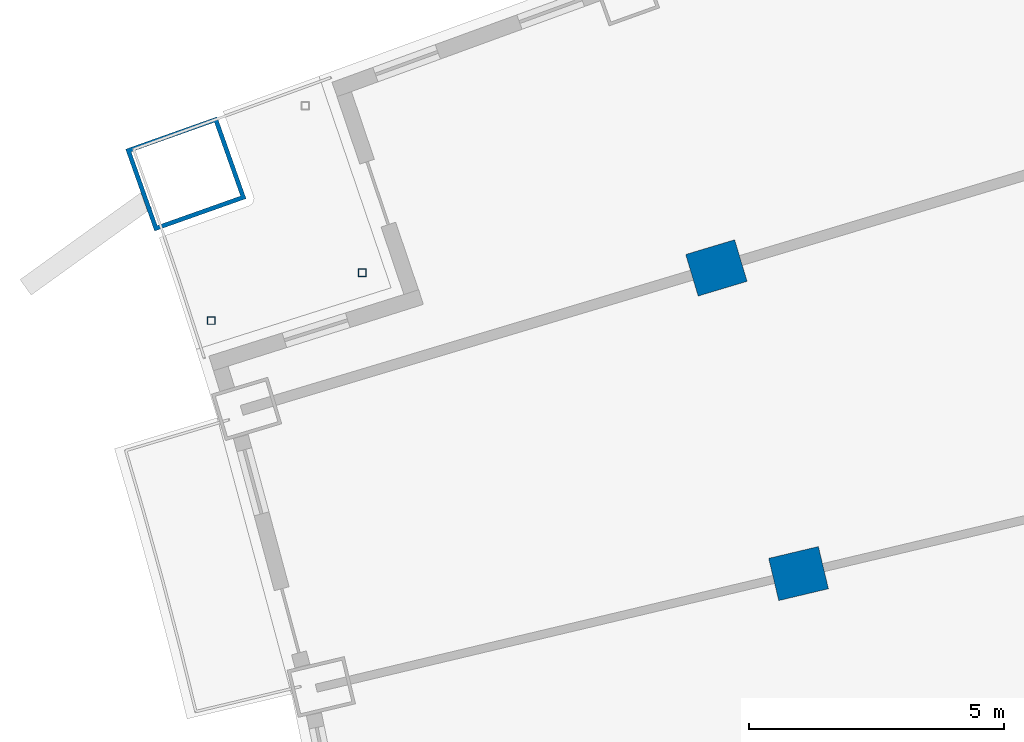
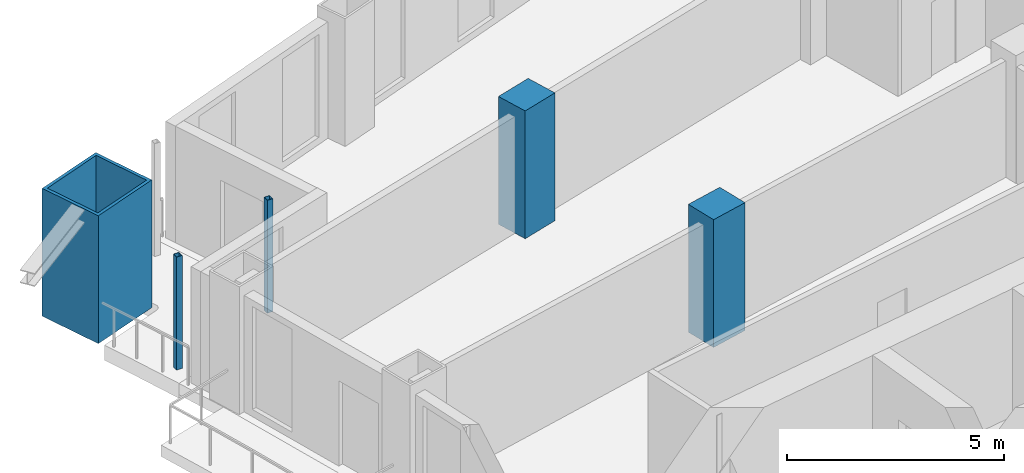
# One storey, part 7 of 24: 5 columns.
"""IFC4 building model written with IfcOpenShell, lengths in metres."""

from ifc_helpers import new_model, si_unit, direction, frame, origin, origin_2d, place, context, subcontext, project, spatial, rectangle, hollow_rectangle, extrude, material, material_profile, profile_set, type_object, element, save


model = new_model("IFC4")

# Units and contexts
model_context = context("Model", 3, precision=1e-05, world=origin(), true_north=direction((0.0, 1.0)))
body_context = subcontext(model_context, "Body", "Model", "MODEL_VIEW")
ifc_project = project(units=[si_unit("LENGTHUNIT", "METRE"), si_unit("AREAUNIT", "SQUARE_METRE"), si_unit("VOLUMEUNIT", "CUBIC_METRE"), si_unit("PLANEANGLEUNIT", "RADIAN"), si_unit("MASSUNIT", "GRAM", prefix="KILO")], contexts=[model_context])

# Site, building, storey
site_placement = place(None, origin())
site = spatial("IfcSite", under=ifc_project, at=site_placement, CompositionType="ELEMENT")
building_placement = place(site_placement, origin())
building = spatial("IfcBuilding", under=site, at=building_placement, Name="Alderwake Tower", CompositionType="ELEMENT")
storey_placement = place(building_placement, frame((0.0, 0.0, 96.800048828125)))
storey = spatial("IfcBuildingStorey", under=building, at=storey_placement, Name="L23", CompositionType="ELEMENT", Elevation=96.800048828125)

# Columns
ifc_material_1 = material(Name="Concrete C70/85", Category="concrete")
ifc_material_profile_1 = material_profile(ifc_material_1, rectangle(XDim=0.85009765625, YDim=1.0, at=origin_2d()), Name="RC 1000X850")
ifc_profile_set_1 = profile_set([ifc_material_profile_1], Name="Concrete C70/85")
column_type_1 = type_object("IfcColumnType", Name="Interior column Z2", PredefinedType="COLUMN", material=ifc_profile_set_1)
for number, where, z_axis, x_axis, name in (
    (1, (23.322021484375, 85.555908203125, 0.0), (0.0, 0.0, 1.0), (-0.231221547198, 0.972901123502, 0.0), "Column R11-C1"),
    (2, (21.714599609375, 91.53759765625, 0.0), (0.0, 0.0, 1.0), (-0.287549418125, 0.957765802342, 0.0), "Column R12-C1"),
):
    element("IfcColumn", number, at=place(storey_placement, frame(where, z_axis=z_axis, x_axis=x_axis)), inside=storey, type_object=column_type_1, Name=name, PredefinedType="COLUMN", context=body_context, shape_type="SweptSolid", body=[
        extrude(rectangle(XDim=0.85009765625, YDim=1.0, at=origin_2d()), origin(), (0.0, 0.0, 1.0), 3.599853515625),
    ])
ifc_material_2 = material(Name="Steel ASTM A500 Grade C", Category="steel")
ifc_material_profile_2 = material_profile(ifc_material_2, hollow_rectangle(XDim=0.15234375, YDim=0.15234375, WallThickness=0.0087890625, at=origin_2d()), Name="HSS6X6X3/8")
ifc_profile_set_2 = profile_set([ifc_material_profile_2], Name="Steel ASTM A500 Grade C")
column_type_2 = type_object("IfcColumnType", Name="Light post HSS6X6X3/8", PredefinedType="COLUMN", material=ifc_profile_set_2)
for number, where, z_axis, x_axis, name in (
    (3, (11.82568359375, 90.507080078125, 0.0), (0.0, 0.0, 1.0), (1.0, 0.0, 0.0), "Terrace post RN1"),
    (4, (14.781494140625, 91.441650390625, 0.0), (0.0, 0.0, 1.0), (1.0, 0.0, 0.0), "Terrace post RN3"),
):
    element("IfcColumn", number, at=place(storey_placement, frame(where, z_axis=z_axis, x_axis=x_axis)), inside=storey, type_object=column_type_2, Name=name, PredefinedType="COLUMN", context=body_context, shape_type="SweptSolid", body=[
        extrude(hollow_rectangle(XDim=0.15234375, YDim=0.15234375, WallThickness=0.0087890625, at=origin_2d()), origin(), (0.0, 0.0, 1.0), 3.179931640625),
    ])
ifc_material_3 = material(Name="Steel ASTM A572 Grade 50 concrete filled C70/85", Category="concrete")
ifc_material_profile_3 = material_profile(ifc_material_3, hollow_rectangle(XDim=1.699951171875, YDim=1.89990234375, WallThickness=0.0849609375, at=origin_2d()), Name="BOX 1900X1700X85")
ifc_profile_set_3 = profile_set([ifc_material_profile_3], Name="Steel ASTM A572 Grade 50 concrete filled C70/85")
column_type_3 = type_object("IfcColumnType", Name="Mega column Z2", PredefinedType="COLUMN", material=ifc_profile_set_3)
column_placement = place(storey_placement, frame((11.330810546875, 93.377197265625, 0.0), z_axis=(0.0, 0.0, 1.0), x_axis=(-0.334130947791, 0.942526662609, 0.0)))
element("IfcColumn", 5, at=column_placement, inside=storey, type_object=column_type_3, Name="Column R13-C0", PredefinedType="COLUMN", context=body_context, shape_type="SweptSolid", body=[
    extrude(hollow_rectangle(XDim=1.699951171875, YDim=1.89990234375, WallThickness=0.0849609375, at=origin_2d()), origin(), (0.0, 0.0, 1.0), 3.599853515625),
])

save(model, "model.ifc")
